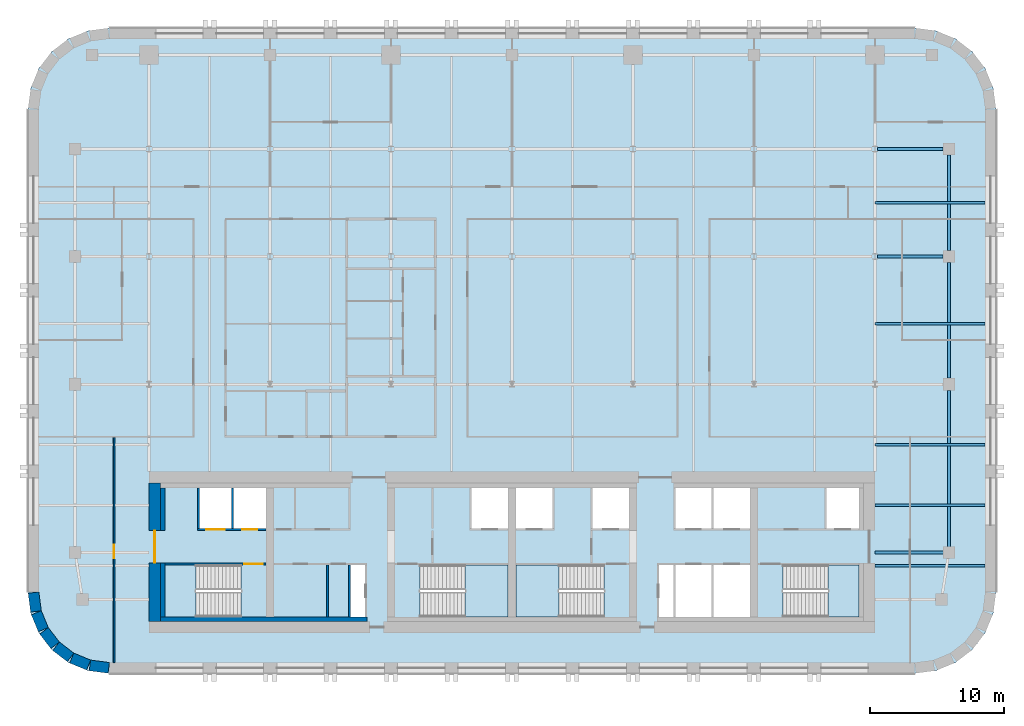
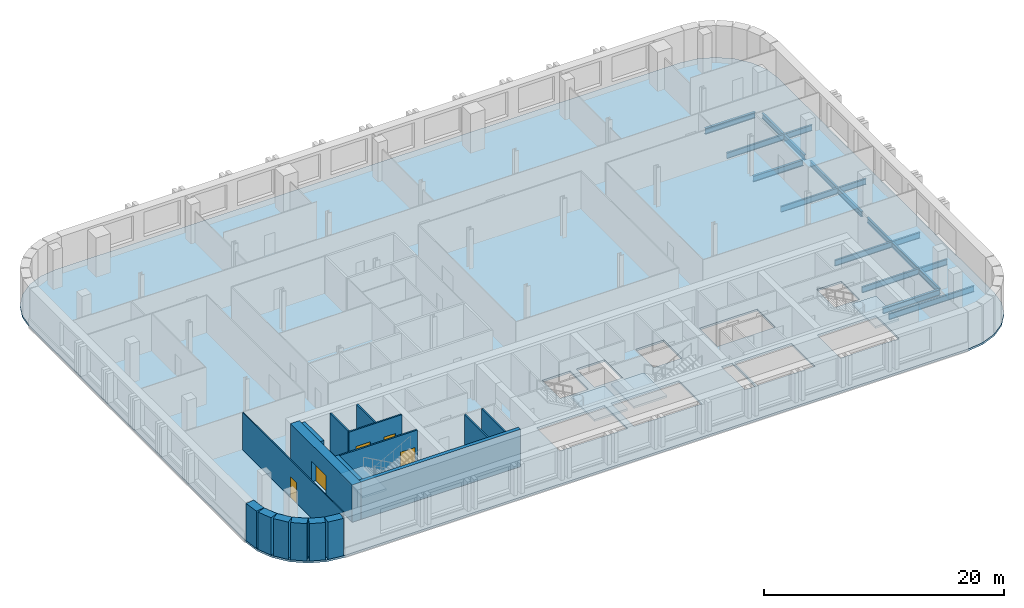
# One storey, part 2 of 10: 17 walls, 11 beams, 5 doors, 5 slabs, 5 openings, 4 elements without a shape of their own.
"""IFC4 building model written with IfcOpenShell, lengths in metres."""

from ifc_helpers import new_model, si_unit, direction, frame, frame_2d, origin, origin_2d, place, context, subcontext, project, spatial, polyline, rectangle, i_section, outline, extrude, material, layer, layer_set, material_profile, profile_set, type_object, element, fill, aggregate, save


model = new_model("IFC4")

# Units and contexts
model_context = context("Model", 3, precision=1e-05, world=origin(), true_north=direction((0.0, 1.0)))
body_context = subcontext(model_context, "Body", "Model", "MODEL_VIEW")
ifc_project = project(units=[si_unit("LENGTHUNIT", "METRE"), si_unit("AREAUNIT", "SQUARE_METRE"), si_unit("VOLUMEUNIT", "CUBIC_METRE"), si_unit("PLANEANGLEUNIT", "RADIAN"), si_unit("MASSUNIT", "GRAM", prefix="KILO")], contexts=[model_context])

# Site, building, storey
site_placement = place(None, origin())
site = spatial("IfcSite", under=ifc_project, at=site_placement, CompositionType="ELEMENT")
building_placement = place(site_placement, origin())
building = spatial("IfcBuilding", under=site, at=building_placement, Name="Zellij Exchange Tower", CompositionType="ELEMENT")
storey_placement = place(building_placement, frame((0.0, 0.0, 168.5)))
storey = spatial("IfcBuildingStorey", under=building, at=storey_placement, Name="L38", CompositionType="ELEMENT", Elevation=168.5)

# Beams
ifc_material_1 = material(Name="Structural steel ASTM A992 Gr 50", Category="steel")
ifc_material_profile_1 = material_profile(ifc_material_1, i_section(OverallWidth=0.177978515625, OverallDepth=0.599365234375, WebThickness=0.010009765625, FlangeThickness=0.012939453125, at=origin_2d()), Name="W24x55")
ifc_profile_set_1 = profile_set([ifc_material_profile_1], Name="Structural steel ASTM A992 Gr 50")
beam_type_1 = type_object("IfcBeamType", Name="STR-BEAM W24x55", PredefinedType="BEAM", material=ifc_profile_set_1)
for number, where, z_axis, x_axis, name in (
    (1, (27.0, -9.0, -0.499755859375), (1.0, 0.0, 0.0), (0.0, 1.0, 0.0), "B4"),
    (2, (27.0, -4.5, -0.499755859375), (1.0, 0.0, 0.0), (0.0, 1.0, 0.0), "B4"),
    (3, (27.0, 0.0, -0.499755859375), (1.0, 0.0, 0.0), (0.0, 1.0, 0.0), "B4"),
    (4, (27.0, 9.0, -0.499755859375), (1.0, 0.0, 0.0), (0.0, 1.0, 0.0), "B4"),
    (5, (27.0, 18.0, -0.499755859375), (1.0, 0.0, 0.0), (0.0, 1.0, 0.0), "B4"),
):
    element("IfcBeam", number, at=place(storey_placement, frame(where, z_axis=z_axis, x_axis=x_axis)), inside=storey, type_object=beam_type_1, Name=name, PredefinedType="BEAM", context=body_context, shape_type="SweptSolid", body=[
        extrude(i_section(OverallWidth=0.177978515625, OverallDepth=0.599365234375, WebThickness=0.010009765625, FlangeThickness=0.012939453125, at=origin_2d()), origin(), (0.0, 0.0, 1.0), 8.199951171875),
    ])
ifc_material_profile_2 = material_profile(ifc_material_1, i_section(OverallWidth=0.209228515625, OverallDepth=0.533447265625, WebThickness=0.01025390625, FlangeThickness=0.015625, at=origin_2d()), Name="W21x62")
ifc_profile_set_2 = profile_set([ifc_material_profile_2], Name="Structural steel ASTM A992 Gr 50")
beam_type_2 = type_object("IfcBeamType", Name="STR-EDGE GIRDER W21x62", PredefinedType="BEAM", material=ifc_profile_set_2)
beam_1_placement = place(storey_placement, frame((32.5, -8.0, -0.466796875), z_axis=(0.0, 1.0, 0.0), x_axis=(-1.0, 0.0, 0.0)))
element("IfcBeam", 6, at=beam_1_placement, inside=storey, type_object=beam_type_2, Name="EB3", PredefinedType="BEAM", context=body_context, shape_type="SweptSolid", body=[
    extrude(i_section(OverallWidth=0.209228515625, OverallDepth=0.533447265625, WebThickness=0.01025390625, FlangeThickness=0.015625, at=origin_2d()), origin(), (0.0, 0.0, 1.0), 12.050048828125),
])
beam_2_placement = place(storey_placement, frame((32.5, 4.949951171875, -0.466796875), z_axis=(0.0, 1.0, 0.0), x_axis=(-1.0, 0.0, 0.0)))
element("IfcBeam", 7, at=beam_2_placement, inside=storey, type_object=beam_type_2, Name="EB3", PredefinedType="BEAM", context=body_context, shape_type="SweptSolid", body=[
    extrude(i_section(OverallWidth=0.209228515625, OverallDepth=0.533447265625, WebThickness=0.01025390625, FlangeThickness=0.015625, at=origin_2d()), origin(), (0.0, 0.0, 1.0), 8.60009765625),
])
beam_3_placement = place(storey_placement, frame((32.5, 14.449951171875, -0.466796875), z_axis=(0.0, 1.0, 0.0), x_axis=(-1.0, 0.0, 0.0)))
element("IfcBeam", 8, at=beam_3_placement, inside=storey, type_object=beam_type_2, Name="EB3", PredefinedType="BEAM", context=body_context, shape_type="SweptSolid", body=[
    extrude(i_section(OverallWidth=0.209228515625, OverallDepth=0.533447265625, WebThickness=0.01025390625, FlangeThickness=0.015625, at=origin_2d()), origin(), (0.0, 0.0, 1.0), 7.10009765625),
])
ifc_material_profile_3 = material_profile(ifc_material_1, i_section(OverallWidth=0.228271484375, OverallDepth=0.607177734375, WebThickness=0.01123046875, FlangeThickness=0.017333984375, at=origin_2d()), Name="W24x76")
ifc_profile_set_3 = profile_set([ifc_material_profile_3], Name="Structural steel ASTM A992 Gr 50")
beam_type_3 = type_object("IfcBeamType", Name="STR-GIRDER W24x76", PredefinedType="BEAM", material=ifc_profile_set_3)
beam_4_placement = place(storey_placement, frame((27.0, -8.0, -0.50341796875), z_axis=(1.0, 0.0, 0.0), x_axis=(0.0, 1.0, 0.0)))
element("IfcBeam", 9, at=beam_4_placement, inside=storey, type_object=beam_type_3, Name="G2", PredefinedType="BEAM", context=body_context, shape_type="SweptSolid", body=[
    extrude(i_section(OverallWidth=0.228271484375, OverallDepth=0.607177734375, WebThickness=0.01123046875, FlangeThickness=0.017333984375, at=origin_2d()), origin(), (0.0, 0.0, 1.0), 5.5),
])
for number, where, z_axis, x_axis, name in (
    (10, (27.20458984375, 14.0, -0.50341796875), (1.0, 0.0, 0.0), (0.0, 1.0, 0.0), "G2"),
    (11, (27.20458984375, 22.0, -0.50341796875), (1.0, 0.0, 0.0), (0.0, 1.0, 0.0), "G2"),
):
    element("IfcBeam", number, at=place(storey_placement, frame(where, z_axis=z_axis, x_axis=x_axis)), inside=storey, type_object=beam_type_3, Name=name, PredefinedType="BEAM", context=body_context, shape_type="SweptSolid", body=[
        extrude(i_section(OverallWidth=0.228271484375, OverallDepth=0.607177734375, WebThickness=0.01123046875, FlangeThickness=0.017333984375, at=origin_2d()), origin(), (0.0, 0.0, 1.0), 4.845458984375),
    ])

# Stair, slab
ifc_material_2 = material(Name="Concrete C40/50", Category="concrete")
stair_type = type_object("IfcStairType", Name="CORE-ST exit stair 1850 wide", PredefinedType="HALF_TURN_STAIR", material=ifc_material_2)
stair_1_placement = place(storey_placement, origin())
stair_1 = element("IfcStair", 12, at=stair_1_placement, inside=storey, type_object=stair_type, Name="L38 exit stair ST1", PredefinedType="HALF_TURN_STAIR")
ifc_layer_1 = layer(ifc_material_2, 0.199951171875)
ifc_layer_set_1 = layer_set([ifc_layer_1], Name="Concrete C40/50")
slab_type_1 = type_object("IfcSlabType", Name="CORE-SL stair landing 200", PredefinedType="LANDING", material=ifc_layer_set_1)
slab_1_placement = place(storey_placement, frame((0.0, 0.0, 1.800048828125)))
slab_1 = element("IfcSlab", 13, at=slab_1_placement, type_object=slab_type_1, Name="ST1 landing 1", PredefinedType="LANDING", context=body_context, shape_type="SweptSolid", body=[
    extrude(outline(polyline([(-23.510009765625, -8.949951171875), (-25.800048828125, -8.949951171875), (-25.800048828125, -12.800048828125), (-23.510009765625, -12.800048828125), (-23.510009765625, -8.949951171875)])), origin(), (0.0, 0.0, 1.0), 0.199951171875),
])
aggregate(stair_1, [slab_1])

stair_2_placement = place(storey_placement, origin())
stair_2 = element("IfcStair", 14, at=stair_2_placement, inside=storey, type_object=stair_type, Name="L38 exit stair ST2", PredefinedType="HALF_TURN_STAIR")
slab_2_placement = place(storey_placement, frame((0.0, 0.0, 1.800048828125)))
slab_2 = element("IfcSlab", 15, at=slab_2_placement, type_object=slab_type_1, Name="ST2 landing 1", PredefinedType="LANDING", context=body_context, shape_type="SweptSolid", body=[
    extrude(outline(polyline([(-3.489990234375, -12.800048828125), (-0.300048828125, -12.800048828125), (-0.300048828125, -8.949951171875), (-3.489990234375, -8.949951171875), (-3.489990234375, -12.800048828125)])), origin(), (0.0, 0.0, 1.0), 0.199951171875),
])
aggregate(stair_2, [slab_2])

stair_3_placement = place(storey_placement, origin())
stair_3 = element("IfcStair", 16, at=stair_3_placement, inside=storey, type_object=stair_type, Name="L38 exit stair ST3", PredefinedType="HALF_TURN_STAIR")
slab_3_placement = place(storey_placement, frame((0.0, 0.0, 1.800048828125)))
slab_3 = element("IfcSlab", 17, at=slab_3_placement, type_object=slab_type_1, Name="ST3 landing 1", PredefinedType="LANDING", context=body_context, shape_type="SweptSolid", body=[
    extrude(outline(polyline([(3.489990234375, -8.949951171875), (0.300048828125, -8.949951171875), (0.300048828125, -12.800048828125), (3.489990234375, -12.800048828125), (3.489990234375, -8.949951171875)])), origin(), (0.0, 0.0, 1.0), 0.199951171875),
])
aggregate(stair_3, [slab_3])

stair_4_placement = place(storey_placement, origin())
stair_4 = element("IfcStair", 18, at=stair_4_placement, inside=storey, type_object=stair_type, Name="L38 exit stair ST4", PredefinedType="HALF_TURN_STAIR")
slab_4_placement = place(storey_placement, frame((0.0, 0.0, 1.800048828125)))
slab_4 = element("IfcSlab", 19, at=slab_4_placement, type_object=slab_type_1, Name="ST4 landing 1", PredefinedType="LANDING", context=body_context, shape_type="SweptSolid", body=[
    extrude(outline(polyline([(23.510009765625, -12.800048828125), (25.800048828125, -12.800048828125), (25.800048828125, -8.949951171875), (23.510009765625, -8.949951171875), (23.510009765625, -12.800048828125)])), origin(), (0.0, 0.0, 1.0), 0.199951171875),
])
aggregate(stair_4, [slab_4])

# Slab
ifc_layer_2 = layer(ifc_material_2, 0.199951171875)
ifc_layer_set_2 = layer_set([ifc_layer_2], Name="Concrete C40/50")
slab_type_2 = type_object("IfcSlabType", Name="STR-FLOOR SLAB 200 C40/50", PredefinedType="FLOOR", material=ifc_layer_set_2)
slab_5_placement = place(storey_placement, frame((0.0, 0.0, -0.2001953125)))
element("IfcSlab", 20, at=slab_5_placement, inside=storey, type_object=slab_type_2, Name="Floor L38", PredefinedType="FLOOR", context=body_context, shape_type="SweptSolid", body=[
    extrude(outline(polyline([(-30.0, -17.0), (-31.552978515625, -16.795654296875), (-33.0, -16.1962890625), (-34.24267578125, -15.24267578125), (-35.1962890625, -14.0), (-35.795654296875, -12.552978515625), (-36.0, -11.0), (-36.0, 25.0), (-35.795654296875, 26.552978515625), (-35.1962890625, 28.0), (-34.24267578125, 29.24267578125), (-33.0, 30.1962890625), (-31.552978515625, 30.795654296875), (-30.0, 31.0), (30.0, 31.0), (31.552978515625, 30.795654296875), (33.0, 30.1962890625), (34.24267578125, 29.24267578125), (35.1962890625, 28.0), (35.795654296875, 26.552978515625), (36.0, 25.0), (36.0, -11.0), (35.795654296875, -12.552978515625), (35.1962890625, -14.0), (34.24267578125, -15.24267578125), (33.0, -16.1962890625), (31.552978515625, -16.795654296875), (30.0, -17.0), (-30.0, -17.0)]), holes=[polyline([(-25.800048828125, -8.949951171875), (-25.800048828125, -12.800048828125), (-20.153076171875, -12.800048828125), (-20.153076171875, -8.949951171875), (-25.800048828125, -8.949951171875)]), polyline([(-10.949951171875, -8.949951171875), (-12.0, -8.949951171875), (-12.0, -12.800048828125), (-10.949951171875, -12.800048828125), (-10.949951171875, -8.949951171875)]), polyline([(-0.300048828125, -8.949951171875), (-6.846923828125, -8.949951171875), (-6.846923828125, -12.800048828125), (-0.300048828125, -12.800048828125), (-0.300048828125, -8.949951171875)]), polyline([(0.300048828125, -8.949951171875), (0.300048828125, -12.800048828125), (6.846923828125, -12.800048828125), (6.846923828125, -8.949951171875), (0.300048828125, -8.949951171875)]), polyline([(-18.300048828125, -3.199951171875), (-23.25, -3.199951171875), (-23.25, -6.22509765625), (-18.300048828125, -6.22509765625), (-18.300048828125, -3.199951171875)]), polyline([(-0.300048828125, -3.199951171875), (-3.0, -3.199951171875), (-3.0, -6.22509765625), (-0.300048828125, -6.22509765625), (-0.300048828125, -3.199951171875)]), polyline([(0.300048828125, -3.199951171875), (0.300048828125, -6.22509765625), (3.0, -6.22509765625), (3.0, -3.199951171875), (0.300048828125, -3.199951171875)]), polyline([(12.0, -8.949951171875), (10.949951171875, -8.949951171875), (10.949951171875, -12.800048828125), (12.0, -12.800048828125), (12.0, -8.949951171875)]), polyline([(17.699951171875, -8.949951171875), (12.14990234375, -8.949951171875), (12.14990234375, -12.800048828125), (17.699951171875, -12.800048828125), (17.699951171875, -8.949951171875)]), polyline([(25.800048828125, -8.949951171875), (20.153076171875, -8.949951171875), (20.153076171875, -12.800048828125), (25.800048828125, -12.800048828125), (25.800048828125, -8.949951171875)]), polyline([(8.699951171875, -3.199951171875), (6.0, -3.199951171875), (6.0, -6.22509765625), (8.699951171875, -6.22509765625), (8.699951171875, -3.199951171875)]), polyline([(17.699951171875, -3.199951171875), (12.14990234375, -3.199951171875), (12.14990234375, -6.22509765625), (17.699951171875, -6.22509765625), (17.699951171875, -3.199951171875)]), polyline([(25.800048828125, -3.199951171875), (23.39990234375, -3.199951171875), (23.39990234375, -6.22509765625), (25.800048828125, -6.22509765625), (25.800048828125, -3.199951171875)])]), origin(), (0.0, 0.0, 1.0), 0.2001953125),
])

# Walls
ifc_material_3 = material(Name="Concrete C30/37", Category="concrete")
ifc_layer_3 = layer(ifc_material_3, 0.35009765625)
ifc_layer_set_3 = layer_set([ifc_layer_3], Name="Concrete C30/37")
wall_type_1 = type_object("IfcWallType", Name="CORE-LW 350 C30/37", PredefinedType="SHEAR", material=ifc_layer_set_3)
wall_1_placement = place(storey_placement, frame((-26.14990234375, -12.97509765625, 0.0), z_axis=(0.0, 0.0, 1.0), x_axis=(1.0, 0.0, 0.0)))
element("IfcWall", 21, at=wall_1_placement, inside=storey, type_object=wall_type_1, Name="Core wall lining rear.0 L38", PredefinedType="SHEAR", context=body_context, shape_type="SweptSolid", body=[
    extrude(rectangle(XDim=15.349853515625, YDim=0.35009765625, at=frame_2d((7.6748046875, 0.0))), origin(), (0.0, 0.0, 1.0), 3.800048828125),
])
wall_2_placement = place(storey_placement, frame((-25.97509765625, -12.800048828125, 0.0), z_axis=(0.0, 0.0, 1.0), x_axis=(0.0, 1.0, 0.0)))
element("IfcWall", 22, at=wall_2_placement, inside=storey, type_object=wall_type_1, Name="Core wall lining end w.0 L38", PredefinedType="SHEAR", context=body_context, shape_type="SweptSolid", body=[
    extrude(rectangle(XDim=4.0, YDim=0.35009765625, at=frame_2d((2.0, 0.0))), origin(), (0.0, 0.0, 1.0), 3.800048828125),
])
wall_3_placement = place(storey_placement, frame((-25.97509765625, -6.375, 0.0), z_axis=(0.0, 0.0, 1.0), x_axis=(0.0, 1.0, 0.0)))
element("IfcWall", 23, at=wall_3_placement, inside=storey, type_object=wall_type_1, Name="Core wall lining end w.1 L38", PredefinedType="SHEAR", context=body_context, shape_type="SweptSolid", body=[
    extrude(rectangle(XDim=3.175048828125, YDim=0.35009765625, at=frame_2d((1.58740234375, 0.0))), origin(), (0.0, 0.0, 1.0), 3.800048828125),
])
ifc_material_4 = material(Name="Gypsum board partition")
ifc_layer_4 = layer(ifc_material_4, 0.14990234375)
ifc_layer_set_4 = layer_set([ifc_layer_4], Name="Gypsum board partition")
wall_type_2 = type_object("IfcWallType", Name="CORE-PW 150 Lift lobby wall", PredefinedType="PARTITIONING", material=ifc_layer_set_4)
for number, where, z_axis, x_axis, name in (
    (24, (-12.074951171875, -12.800048828125, 0.0), (0.0, 0.0, 1.0), (0.0, 1.0, 0.0), "Lift lobby wall L38"),
    (25, (-13.72509765625, -12.800048828125, 0.0), (0.0, 0.0, 1.0), (0.0, 1.0, 0.0), "Lift lobby wall L38"),
):
    element("IfcWall", number, at=place(storey_placement, frame(where, z_axis=z_axis, x_axis=x_axis)), inside=storey, type_object=wall_type_2, Name=name, PredefinedType="PARTITIONING", context=body_context, shape_type="SweptSolid", body=[
        extrude(rectangle(XDim=3.85009765625, YDim=0.14990234375, at=frame_2d((1.925048828125, 0.0))), origin(), (0.0, 0.0, 1.0), 3.800048828125),
    ])
ifc_material_5 = material(Name="Gypsum shaft wall system")
ifc_layer_5 = layer(ifc_material_5, 0.14990234375)
ifc_layer_set_5 = layer_set([ifc_layer_5], Name="Gypsum shaft wall system")
wall_type_3 = type_object("IfcWallType", Name="CORE-PW 150 Lift shaft wall", PredefinedType="PARTITIONING", material=ifc_layer_set_5)
for number, where, z_axis, x_axis, name in (
    (26, (-20.77490234375, -6.22509765625, 0.0), (0.0, 0.0, 1.0), (0.0, 1.0, 0.0), "Lift shaft wall L38"),
    (27, (-23.324951171875, -6.22509765625, 0.0), (0.0, 0.0, 1.0), (0.0, 1.0, 0.0), "Lift shaft wall L38"),
):
    element("IfcWall", number, at=place(storey_placement, frame(where, z_axis=z_axis, x_axis=x_axis)), inside=storey, type_object=wall_type_3, Name=name, PredefinedType="PARTITIONING", context=body_context, shape_type="SweptSolid", body=[
        extrude(rectangle(XDim=3.025146484375, YDim=0.14990234375, at=frame_2d((1.5126953125, 0.0))), origin(), (0.0, 0.0, 1.0), 3.800048828125),
    ])

# Wall, openings, doors
wall_4_placement = place(storey_placement, frame((-23.39990234375, -6.300048828125, 0.0), z_axis=(0.0, 0.0, 1.0), x_axis=(1.0, 0.0, 0.0)))
wall_4 = element("IfcWall", 28, at=wall_4_placement, inside=storey, type_object=wall_type_3, Name="Lift shaft wall L38", PredefinedType="PARTITIONING", context=body_context, shape_type="SweptSolid", body=[
    extrude(rectangle(XDim=5.099853515625, YDim=0.14990234375, at=frame_2d((2.5498046875, 0.0))), origin(), (0.0, 0.0, 1.0), 3.800048828125),
])
opening_1_placement = place(wall_4_placement, frame((0.64990234375, 0.0, 0.0)))
opening_1 = element("IfcOpeningElement", 29, at=opening_1_placement, cuts=wall_4, Name="Opening CA-21.02", PredefinedType="OPENING", context=body_context, shape_type="SweptSolid", body=[
    extrude(rectangle(XDim=1.39990234375, YDim=2.10009765625, at=frame_2d((0.699951171875, 1.050048828125))), frame((0.0, 0.0869140625, 0.0), z_axis=(0.0, -1.0, 0.0), x_axis=(1.0, 0.0, 0.0)), (0.0, 0.0, 1.0), 0.173828125),
])
opening_2_placement = place(wall_4_placement, frame((3.35009765625, 0.0, 0.0)))
opening_2 = element("IfcOpeningElement", 30, at=opening_2_placement, cuts=wall_4, Name="Opening CA-21.03", PredefinedType="OPENING", context=body_context, shape_type="SweptSolid", body=[
    extrude(rectangle(XDim=1.10009765625, YDim=2.10009765625, at=frame_2d((0.550048828125, 1.050048828125))), frame((0.0, 0.0869140625, 0.0), z_axis=(0.0, -1.0, 0.0), x_axis=(1.0, 0.0, 0.0)), (0.0, 0.0, 1.0), 0.173828125),
])
ifc_material_6 = material(Name="Hollow metal fire door")
door_type_1 = type_object("IfcDoorType", Name="CORE-D LD Lift landing door 1100x2100 1.5 HR", OperationType="NOTDEFINED", PredefinedType="DOOR", material=ifc_material_6)
door_1_placement = place(opening_2_placement, origin())
door_1 = element("IfcDoor", 31, at=door_1_placement, inside=storey, type_object=door_type_1, Name="Lift landing door CA-21.03", OperationType="SLIDING_TO_LEFT", OverallHeight=2.10009765625, OverallWidth=1.10009765625, PredefinedType="DOOR", context=body_context, shape_type="SweptSolid", body=[
    extrude(rectangle(XDim=1.10009765625, YDim=2.10009765625, at=frame_2d((0.550048828125, 1.050048828125))), frame((0.0, 0.02490234375, 0.0), z_axis=(0.0, -1.0, 0.0), x_axis=(1.0, 0.0, 0.0)), (0.0, 0.0, 1.0), 0.050048828125),
])
fill(opening_2, door_1)
door_type_2 = type_object("IfcDoorType", Name="CORE-D LD2 Service lift landing door 1400x2100 1.5 HR", OperationType="NOTDEFINED", PredefinedType="DOOR", material=ifc_material_6)
door_2_placement = place(opening_1_placement, origin())
door_2 = element("IfcDoor", 32, at=door_2_placement, inside=storey, type_object=door_type_2, Name="Service lift landing door CA-21.02", OperationType="SLIDING_TO_RIGHT", OverallHeight=2.10009765625, OverallWidth=1.39990234375, PredefinedType="DOOR", context=body_context, shape_type="SweptSolid", body=[
    extrude(rectangle(XDim=1.39990234375, YDim=2.10009765625, at=frame_2d((0.699951171875, 1.050048828125))), frame((0.0, 0.02490234375, 0.0), z_axis=(0.0, -1.0, 0.0), x_axis=(1.0, 0.0, 0.0)), (0.0, 0.0, 1.0), 0.050048828125),
])
fill(opening_1, door_2)

# Wall, opening, door
ifc_material_7 = material(Name="Concrete C60/75", Category="concrete")
ifc_layer_6 = layer(ifc_material_7, 0.85009765625)
ifc_layer_set_6 = layer_set([ifc_layer_6], Name="Concrete C60/75")
wall_type_4 = type_object("IfcWallType", Name="CORE-SW 850 C60/75", PredefinedType="SHEAR", material=ifc_layer_set_6)
wall_5_placement = place(storey_placement, frame((-26.574951171875, -13.14990234375, 0.0), z_axis=(0.0, 0.0, 1.0), x_axis=(0.0, 1.0, 0.0)))
wall_5 = element("IfcWall", 33, at=wall_5_placement, inside=storey, type_object=wall_type_4, Name="Core shear wall end w L38", PredefinedType="SHEAR", context=body_context, shape_type="SweptSolid", body=[
    extrude(rectangle(XDim=10.2998046875, YDim=0.85009765625, at=frame_2d((5.14990234375, 0.0))), origin(), (0.0, 0.0, 1.0), 3.800048828125),
])
opening_3_placement = place(wall_5_placement, frame((4.362060546875, 0.0, 0.0)))
opening_3 = element("IfcOpeningElement", 34, at=opening_3_placement, cuts=wall_5, Name="Opening CA-21.01", PredefinedType="OPENING", context=body_context, shape_type="SweptSolid", body=[
    extrude(rectangle(XDim=2.39990234375, YDim=2.10009765625, at=frame_2d((1.199951171875, 1.050048828125))), frame((0.0, 0.43701171875, 0.0), z_axis=(0.0, -1.0, 0.0), x_axis=(1.0, 0.0, 0.0)), (0.0, 0.0, 1.0), 0.8740234375),
])
door_type_3 = type_object("IfcDoorType", Name="CORE-D CE Core entrance door 2400x2100 20 MIN", OperationType="NOTDEFINED", PredefinedType="DOOR", material=ifc_material_6)
door_3_placement = place(opening_3_placement, origin())
door_3 = element("IfcDoor", 35, at=door_3_placement, inside=storey, type_object=door_type_3, Name="Core entrance door CA-21.01", OperationType="DOUBLE_DOOR_SINGLE_SWING", OverallHeight=2.10009765625, OverallWidth=2.39990234375, PredefinedType="DOOR", context=body_context, shape_type="SweptSolid", body=[
    extrude(rectangle(XDim=2.39990234375, YDim=2.10009765625, at=frame_2d((1.199951171875, 1.050048828125))), frame((0.0, 0.02490234375, 0.0), z_axis=(0.0, -1.0, 0.0), x_axis=(1.0, 0.0, 0.0)), (0.0, 0.0, 1.0), 0.050048828125),
])
fill(opening_3, door_3)

ifc_layer_7 = layer(ifc_material_7, 0.14990234375)
ifc_layer_set_7 = layer_set([ifc_layer_7], Name="Concrete C60/75")
wall_type_5 = type_object("IfcWallType", Name="CORE-SWS 150 C60/75", PredefinedType="SHEAR", material=ifc_layer_set_7)
wall_6_placement = place(storey_placement, frame((-25.800048828125, -8.875, 0.0), z_axis=(0.0, 0.0, 1.0), x_axis=(1.0, 0.0, 0.0)))
wall_6 = element("IfcWall", 36, at=wall_6_placement, inside=storey, type_object=wall_type_5, Name="Stair enclosure wall L38", PredefinedType="SHEAR", context=body_context, shape_type="SweptSolid", body=[
    extrude(rectangle(XDim=7.5, YDim=0.14990234375, at=frame_2d((3.75, 0.0))), origin(), (0.0, 0.0, 1.0), 3.800048828125),
])
opening_4_placement = place(wall_6_placement, frame((5.875, 0.0, 0.0)))
opening_4 = element("IfcOpeningElement", 37, at=opening_4_placement, cuts=wall_6, Name="Opening CA-21.04", PredefinedType="OPENING", context=body_context, shape_type="SweptSolid", body=[
    extrude(rectangle(XDim=1.39990234375, YDim=2.10009765625, at=frame_2d((0.699951171875, 1.050048828125))), frame((0.0, 0.0869140625, 0.0), z_axis=(0.0, -1.0, 0.0), x_axis=(1.0, 0.0, 0.0)), (0.0, 0.0, 1.0), 0.173828125),
])
door_type_4 = type_object("IfcDoorType", Name="CORE-D SD Stair door 1400x2100 1.5 HR", OperationType="NOTDEFINED", PredefinedType="DOOR", material=ifc_material_6)
door_4_placement = place(opening_4_placement, origin())
door_4 = element("IfcDoor", 38, at=door_4_placement, inside=storey, type_object=door_type_4, Name="Stair door CA-21.04", OperationType="DOUBLE_DOOR_SINGLE_SWING", OverallHeight=2.10009765625, OverallWidth=1.39990234375, PredefinedType="DOOR", context=body_context, shape_type="SweptSolid", body=[
    extrude(rectangle(XDim=1.39990234375, YDim=2.10009765625, at=frame_2d((0.699951171875, 1.050048828125))), frame((0.0, 0.02490234375, 0.0), z_axis=(0.0, -1.0, 0.0), x_axis=(1.0, 0.0, 0.0)), (0.0, 0.0, 1.0), 0.050048828125),
])
fill(opening_4, door_4)

# Walls
ifc_material_8 = material(Name="Precast concrete C40/50", Category="concrete")
ifc_layer_8 = layer(ifc_material_8, 0.800048828125)
ifc_layer_set_8 = layer_set([ifc_layer_8], Name="Precast concrete C40/50")
wall_type_6 = type_object("IfcWallType", Name="ENV-EW1 Precast stone-piered wall 800", PredefinedType="SOLIDWALL", material=ifc_layer_set_8)
wall_7_placement = place(storey_placement, frame((-35.5966796875, -10.999755859375, 0.0), z_axis=(0.0, 0.0, 1.0), x_axis=(0.130517283865, -0.99144603414, 0.0)))
element("IfcWall", 39, at=wall_7_placement, inside=storey, type_object=wall_type_6, Name="fac.L38.22", PredefinedType="SOLIDWALL", context=body_context, shape_type="SweptSolid", body=[
    extrude(rectangle(XDim=1.408447265625, YDim=0.800048828125, at=frame_2d((0.7041015625, 0.0))), origin(), (0.0, 0.0, 1.0), 3.800048828125),
])
wall_8_placement = place(storey_placement, frame((-35.3857421875, -12.497314453125, 0.0), z_axis=(0.0, 0.0, 1.0), x_axis=(0.38276009378, -0.923847774587, 0.0)))
element("IfcWall", 40, at=wall_8_placement, inside=storey, type_object=wall_type_6, Name="fac.L38.23", PredefinedType="SOLIDWALL", context=body_context, shape_type="SweptSolid", body=[
    extrude(rectangle(XDim=1.35546875, YDim=0.800048828125, at=frame_2d((0.677734375, 0.0))), origin(), (0.0, 0.0, 1.0), 3.800048828125),
])
for number, where, z_axis, x_axis, name in (
    (41, (-34.814697265625, -13.840087890625, 0.0), (0.0, 0.0, 1.0), (0.608866226366, -0.793272915452, 0.0), "fac.L38.24"),
    (42, (-33.91552734375, -14.9892578125, 0.0), (0.0, 0.0, 1.0), (0.793272915452, -0.608866226366, 0.0), "fac.L38.25"),
):
    element("IfcWall", number, at=place(storey_placement, frame(where, z_axis=z_axis, x_axis=x_axis)), inside=storey, type_object=wall_type_6, Name=name, PredefinedType="SOLIDWALL", context=body_context, shape_type="SweptSolid", body=[
        extrude(rectangle(XDim=1.355712890625, YDim=0.800048828125, at=frame_2d((0.677734375, 0.0))), origin(), (0.0, 0.0, 1.0), 3.800048828125),
    ])
wall_9_placement = place(storey_placement, frame((-32.74951171875, -15.866943359375, 0.0), z_axis=(0.0, 0.0, 1.0), x_axis=(0.923847774587, -0.38276009378, 0.0)))
element("IfcWall", 43, at=wall_9_placement, inside=storey, type_object=wall_type_6, Name="fac.L38.26", PredefinedType="SOLIDWALL", context=body_context, shape_type="SweptSolid", body=[
    extrude(rectangle(XDim=1.35546875, YDim=0.800048828125, at=frame_2d((0.677734375, 0.0))), origin(), (0.0, 0.0, 1.0), 3.800048828125),
])
wall_10_placement = place(storey_placement, frame((-31.396240234375, -16.412841796875, 0.0), z_axis=(0.0, 0.0, 1.0), x_axis=(0.99144603414, -0.130517283865, 0.0)))
element("IfcWall", 44, at=wall_10_placement, inside=storey, type_object=wall_type_6, Name="fac.L38.27", PredefinedType="SOLIDWALL", context=body_context, shape_type="SweptSolid", body=[
    extrude(rectangle(XDim=1.408447265625, YDim=0.800048828125, at=frame_2d((0.7041015625, 0.0))), origin(), (0.0, 0.0, 1.0), 3.800048828125),
])

# Wall, opening, door
ifc_material_9 = material(Name="Gypsum board partition on steel studs", Category="steel")
ifc_layer_9 = layer(ifc_material_9, 0.10009765625)
ifc_layer_set_9 = layer_set([ifc_layer_9], Name="Gypsum board partition on steel studs")
wall_type_7 = type_object("IfcWallType", Name="FIT-PARTITION-100", PredefinedType="PARTITIONING", material=ifc_layer_set_9)
wall_11_placement = place(storey_placement, frame((-29.60009765625, -16.199951171875, 0.0), z_axis=(0.0, 0.0, 1.0), x_axis=(0.0, 1.0, 0.0)))
wall_11 = element("IfcWall", 45, at=wall_11_placement, inside=storey, type_object=wall_type_7, Name="FIT-PARTITION-100 001", PredefinedType="PARTITIONING", context=body_context, shape_type="SweptSolid", body=[
    extrude(rectangle(XDim=16.75, YDim=0.10009765625, at=frame_2d((8.375, 0.0))), origin(), (0.0, 0.0, 1.0), 3.800048828125),
])
opening_5_placement = place(wall_11_placement, frame((7.75, 0.0, 0.0)))
opening_5 = element("IfcOpeningElement", 46, at=opening_5_placement, cuts=wall_11, Name="Opening O3A.01", PredefinedType="OPENING", context=body_context, shape_type="SweptSolid", body=[
    extrude(rectangle(XDim=1.0, YDim=2.10009765625, at=frame_2d((0.5, 1.050048828125))), frame((0.0, 0.06201171875, 0.0), z_axis=(0.0, -1.0, 0.0), x_axis=(1.0, 0.0, 0.0)), (0.0, 0.0, 1.0), 0.1240234375),
])
ifc_material_10 = material(Name="Timber door set", Category="wood")
door_type_5 = type_object("IfcDoorType", Name="FIT-D2-WIDE-1000X2100", OperationType="SINGLE_SWING_LEFT", PredefinedType="DOOR", material=ifc_material_10)
door_5_placement = place(opening_5_placement, origin())
door_5 = element("IfcDoor", 47, at=door_5_placement, inside=storey, type_object=door_type_5, Name="Door O3A.01", OperationType="SINGLE_SWING_RIGHT", OverallHeight=2.10009765625, OverallWidth=1.0, PredefinedType="DOOR", context=body_context, shape_type="SweptSolid", body=[
    extrude(rectangle(XDim=1.0, YDim=2.10009765625, at=frame_2d((0.5, 1.050048828125))), frame((0.0, 0.02490234375, 0.0), z_axis=(0.0, -1.0, 0.0), x_axis=(1.0, 0.0, 0.0)), (0.0, 0.0, 1.0), 0.050048828125),
])
fill(opening_5, door_5)

save(model, "model.ifc")
